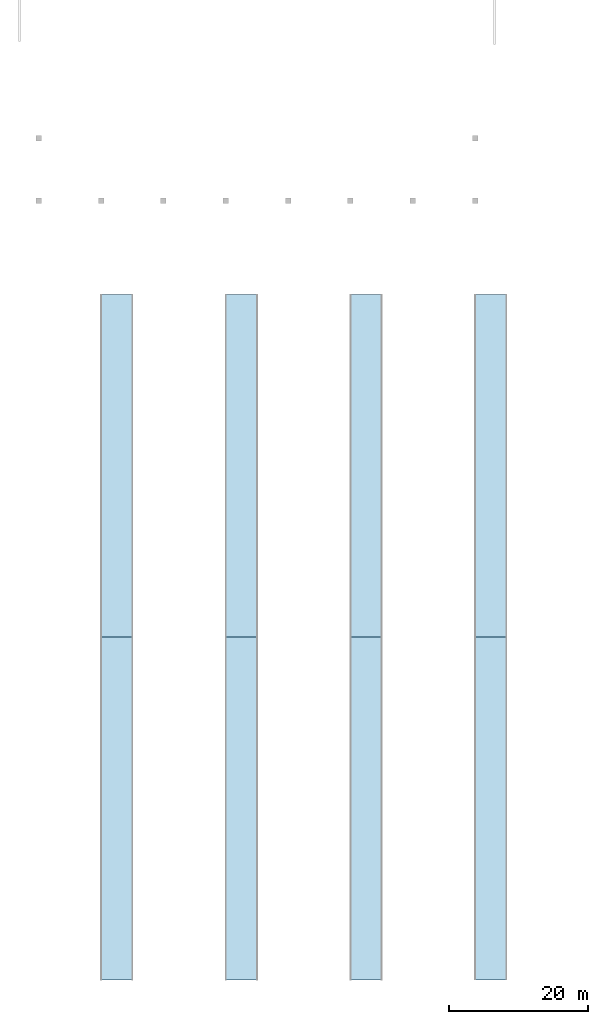
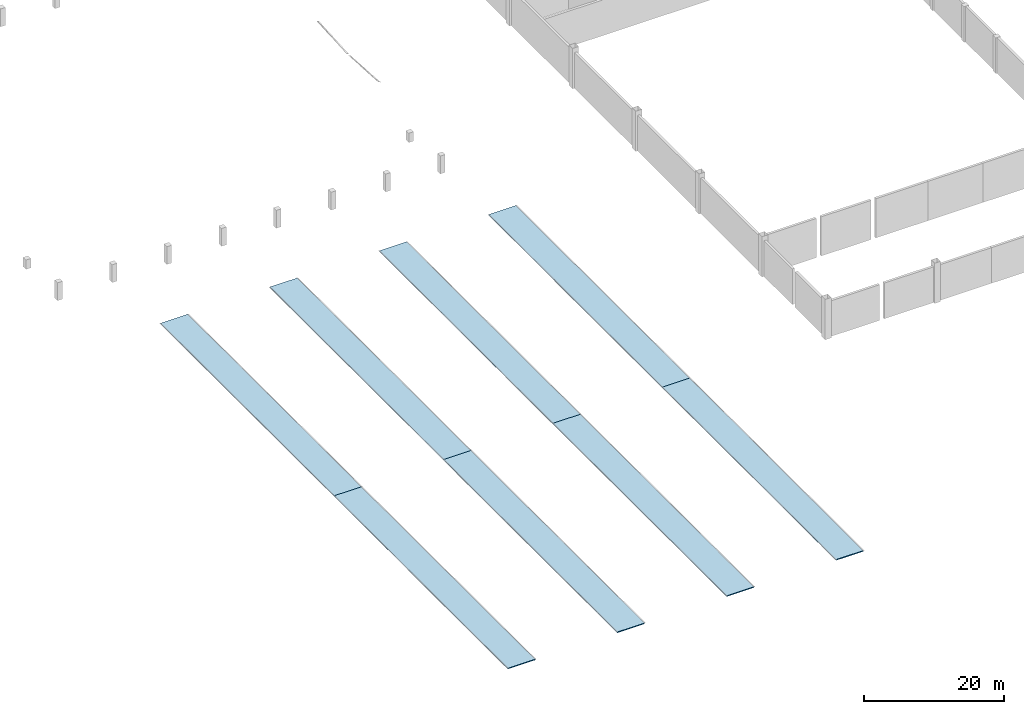
# One storey, part 63 of 85: 8 slabs.
"""IFC4 building model written with IfcOpenShell, lengths in metres."""

from ifc_helpers import new_model, si_unit, direction, frame, origin, place, context, subcontext, project, spatial, polyline, outline, extrude, material, layer, layer_set, type_object, element, save


model = new_model("IFC4")

# Units and contexts
model_context = context("Model", 3, precision=1e-05, world=origin(), true_north=direction((0.0, 1.0)))
body_context = subcontext(model_context, "Body", "Model", "MODEL_VIEW")
ifc_project = project(units=[si_unit("LENGTHUNIT", "METRE"), si_unit("AREAUNIT", "SQUARE_METRE"), si_unit("VOLUMEUNIT", "CUBIC_METRE"), si_unit("PLANEANGLEUNIT", "RADIAN"), si_unit("MASSUNIT", "GRAM", prefix="KILO")], contexts=[model_context])

# Site, building, storey
site_placement = place(None, origin())
site = spatial("IfcSite", under=ifc_project, at=site_placement, CompositionType="ELEMENT")
building_placement = place(site_placement, origin())
building = spatial("IfcBuilding", under=site, at=building_placement, Name="Opaline Strait Convention Centre", CompositionType="ELEMENT")
storey_placement = place(building_placement, frame((0.0, 0.0, 17.0)))
storey = spatial("IfcBuildingStorey", under=building, at=storey_placement, Name="L03", CompositionType="ELEMENT", Elevation=17.0)

# Slabs
ifc_material = material(Name="Concrete C30", Category="concrete")
ifc_layer = layer(ifc_material, 0.14990234375)
ifc_layer_set = layer_set([ifc_layer], Name="Concrete C30")
slab_type = type_object("IfcSlabType", Name="Roof deck 150 C30", PredefinedType="ROOF", material=ifc_layer_set)
for number, where, z_axis, x_axis, name in (
    (1, (18.0, 4.5, 0.75), (0.0, 0.0, 1.0), (1.0, 0.0, 0.0), "RS4 roof deck facet 3 south pour"),
    (2, (18.0, 54.0, 0.75), (0.0, 0.0, 1.0), (1.0, 0.0, 0.0), "RS4 roof deck facet 3 north pour"),
    (3, (36.0, 4.5, 0.75), (0.0, 0.0, 1.0), (1.0, 0.0, 0.0), "RS4 roof deck facet 7 south pour"),
    (4, (36.0, 54.0, 0.75), (0.0, 0.0, 1.0), (1.0, 0.0, 0.0), "RS4 roof deck facet 7 north pour"),
    (5, (54.0, 4.5, 0.75), (0.0, 0.0, 1.0), (1.0, 0.0, 0.0), "RS4 roof deck facet 11 south pour"),
    (6, (54.0, 54.0, 0.75), (0.0, 0.0, 1.0), (1.0, 0.0, 0.0), "RS4 roof deck facet 11 north pour"),
    (7, (72.0, 4.5, 0.75), (0.0, 0.0, 1.0), (1.0, 0.0, 0.0), "RS4 roof deck facet 15 south pour"),
    (8, (72.0, 54.0, 0.75), (0.0, 0.0, 1.0), (1.0, 0.0, 0.0), "RS4 roof deck facet 15 north pour"),
):
    element("IfcSlab", number, at=place(storey_placement, frame(where, z_axis=z_axis, x_axis=x_axis)), inside=storey, type_object=slab_type, Name=name, PredefinedType="ROOF", context=body_context, shape_type="SweptSolid", body=[
        extrude(outline(polyline([(0.0, 0.0), (4.5, 0.0), (4.5, 49.5), (0.0, 49.5), (0.0, 0.0)])), origin(), (0.0, 0.0, -1.0), 0.14990234375),
    ])

save(model, "model.ifc")
